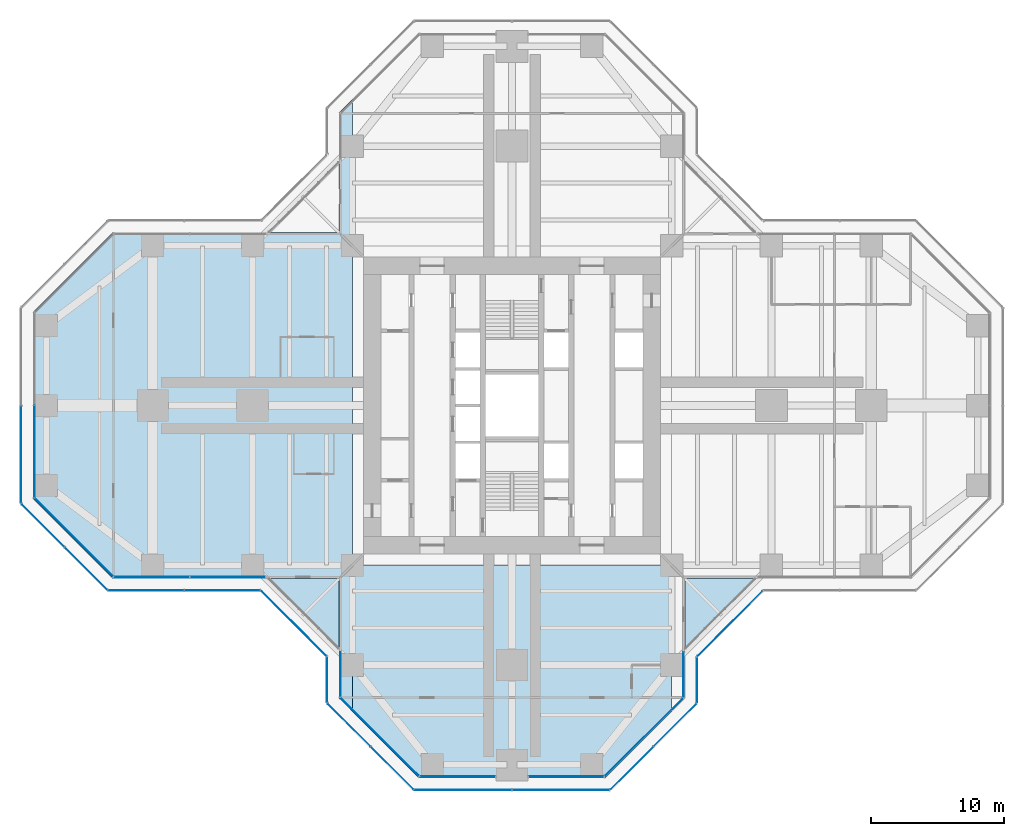
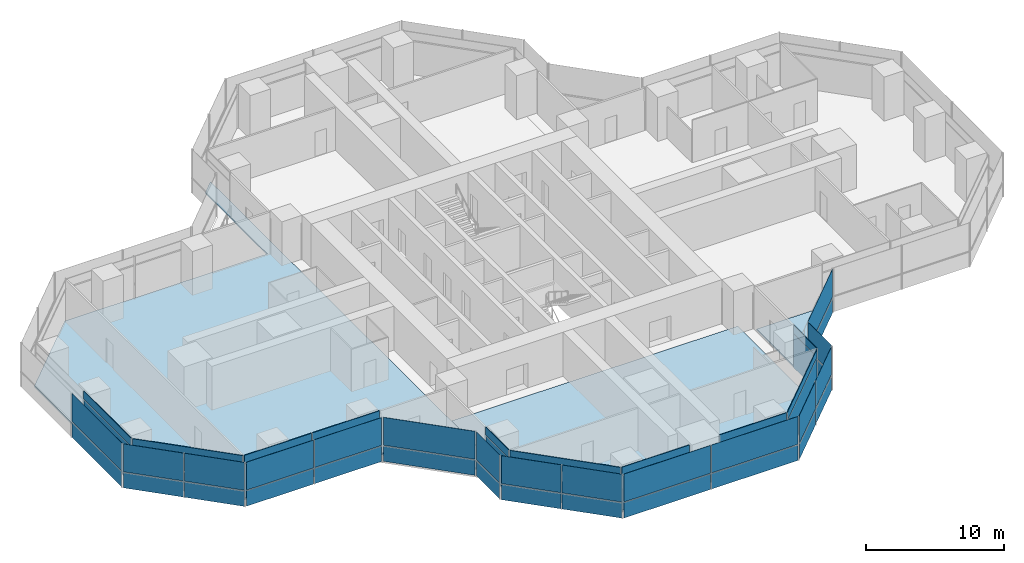
# One storey, part 12 of 19: 50 plates, 4 slabs, 19 elements without a shape of their own.
"""IFC4 building model written with IfcOpenShell, lengths in metres."""

from ifc_helpers import new_model, si_unit, direction, frame, origin, origin_2d, place, context, subcontext, project, spatial, polyline, rectangle, outline, extrude, material, layer, layer_set, type_object, element, aggregate, save


model = new_model("IFC4")

# Units and contexts
model_context = context("Model", 3, precision=1e-05, world=origin(), true_north=direction((0.0, 1.0)))
body_context = subcontext(model_context, "Body", "Model", "MODEL_VIEW")
ifc_project = project(units=[si_unit("LENGTHUNIT", "METRE"), si_unit("AREAUNIT", "SQUARE_METRE"), si_unit("VOLUMEUNIT", "CUBIC_METRE"), si_unit("PLANEANGLEUNIT", "RADIAN"), si_unit("MASSUNIT", "GRAM", prefix="KILO")], contexts=[model_context])

# Site, building, storey
site_placement = place(None, origin())
site = spatial("IfcSite", under=ifc_project, at=site_placement, CompositionType="ELEMENT")
building_placement = place(site_placement, origin())
building = spatial("IfcBuilding", under=site, at=building_placement, Name="Mizan Broadcast Tower", CompositionType="ELEMENT")
storey_placement = place(building_placement, frame((0.0, 0.0, 128.10009765625)))
storey = spatial("IfcBuildingStorey", under=building, at=storey_placement, Name="L28", CompositionType="ELEMENT", Elevation=128.10009765625)

# Slabs
ifc_material_1 = material(Name="Concrete C32/40", Category="concrete")
ifc_layer_1 = layer(ifc_material_1, 0.1298828125)
ifc_layer_set_1 = layer_set([ifc_layer_1], Name="Concrete C32/40")
slab_type_1 = type_object("IfcSlabType", Name="COMPOSITE DECK SLAB 130", PredefinedType="FLOOR", material=ifc_layer_set_1)
slab_1_placement = place(storey_placement, frame((0.0, 0.0, -0.130126953125)))
element("IfcSlab", 1, at=slab_1_placement, inside=storey, type_object=slab_type_1, Name="Floor slab L28 west arm", PredefinedType="FLOOR", context=body_context, shape_type="SweptSolid", body=[
    extrude(outline(polyline([(-13.0, -22.0), (-12.0, -23.0), (-12.0, 23.0), (-13.0, 22.0), (-13.0, 13.0), (-30.0, 13.0), (-36.0, 7.0), (-36.0, -7.0), (-30.0, -13.0), (-13.0, -13.0), (-13.0, -22.0)])), origin(), (0.0, 0.0, 1.0), 0.130126953125),
])
slab_2_placement = place(storey_placement, frame((0.0, 0.0, -0.130126953125)))
element("IfcSlab", 2, at=slab_2_placement, inside=storey, type_object=slab_type_1, Name="Floor slab L28 south arm", PredefinedType="FLOOR", context=body_context, shape_type="SweptSolid", body=[
    extrude(outline(polyline([(7.0, -28.0), (12.0, -23.0), (12.0, -12.0), (-12.0, -12.0), (-12.0, -23.0), (-7.0, -28.0), (7.0, -28.0)])), origin(), (0.0, 0.0, 1.0), 0.130126953125),
])

# Curtain wall, plate
ifc_material_2 = material(Name="Aluminium framed glazing", Category="aluminium")
curtain_wall_type_1 = type_object("IfcCurtainWallType", Name="INNER SKIN MID ZONE", PredefinedType="USERDEFINED", material=ifc_material_2)
curtain_wall_1_placement = place(storey_placement, origin())
curtain_wall_1 = element("IfcCurtainWall", 3, at=curtain_wall_1_placement, inside=storey, type_object=curtain_wall_type_1, Name="Inner skin mid zone L28 W end", ObjectType="INNER SKIN MID ZONE", PredefinedType="USERDEFINED")
ifc_material_3 = material(Name="Double glazing, clear low-e", Category="glass")
ifc_layer_2 = layer(ifc_material_3, 0.028076171875)
ifc_layer_set_2 = layer_set([ifc_layer_2], Name="Double glazing, clear low-e")
plate_type_1 = type_object("IfcPlateType", Name="INNER SKIN GLAZING UNIT", PredefinedType="CURTAIN_PANEL", material=ifc_layer_set_2)
plate_1_placement = place(storey_placement, frame((-35.89990234375, -3.46435546875, 0.0), z_axis=(0.0, 0.0, 1.0), x_axis=(0.0, -1.0, 0.0)))
plate_1 = element("IfcPlate", 4, at=plate_1_placement, type_object=plate_type_1, Name="Inner skin mid zone L28 W end panel 2.1", PredefinedType="CURTAIN_PANEL", context=body_context, shape_type="SweptSolid", body=[
    extrude(rectangle(XDim=6.86865234375, YDim=0.028076171875, at=origin_2d()), origin(), (0.0, 0.0, 1.0), 3.0),
])

curtain_wall_2_placement = place(storey_placement, origin())
curtain_wall_2 = element("IfcCurtainWall", 5, at=curtain_wall_2_placement, inside=storey, type_object=curtain_wall_type_1, Name="Inner skin mid zone L28 W chamfer", ObjectType="INNER SKIN MID ZONE", PredefinedType="USERDEFINED")
plate_2_placement = place(storey_placement, frame((-32.92919921875, -9.92919921875, 0.0), z_axis=(0.0, 0.0, 1.0), x_axis=(0.707106781187, -0.707106781187, 0.0)))
plate_2 = element("IfcPlate", 6, at=plate_2_placement, type_object=plate_type_1, Name="Inner skin mid zone L28 W chamfer panel 1.1", PredefinedType="CURTAIN_PANEL", context=body_context, shape_type="SweptSolid", body=[
    extrude(rectangle(XDim=8.282470703125, YDim=0.028076171875, at=origin_2d()), origin(), (0.0, 0.0, 1.0), 3.0),
])

# Curtain wall, plates
curtain_wall_3_placement = place(storey_placement, origin())
curtain_wall_3 = element("IfcCurtainWall", 7, at=curtain_wall_3_placement, inside=storey, type_object=curtain_wall_type_1, Name="Inner skin mid zone L28 W side", ObjectType="INNER SKIN MID ZONE", PredefinedType="USERDEFINED")
plate_3_placement = place(storey_placement, frame((-27.078857421875, -12.89990234375, 0.0), z_axis=(0.0, 0.0, 1.0), x_axis=(1.0, 0.0, 0.0)))
plate_3 = element("IfcPlate", 8, at=plate_3_placement, type_object=plate_type_1, Name="Inner skin mid zone L28 W side panel 1.1", PredefinedType="CURTAIN_PANEL", context=body_context, shape_type="SweptSolid", body=[
    extrude(rectangle(XDim=5.639404296875, YDim=0.028076171875, at=origin_2d()), origin(), (0.0, 0.0, 1.0), 3.0),
])
plate_4_placement = place(storey_placement, frame((-21.379638671875, -12.89990234375, 0.0), z_axis=(0.0, 0.0, 1.0), x_axis=(1.0, 0.0, 0.0)))
plate_4 = element("IfcPlate", 9, at=plate_4_placement, type_object=plate_type_1, Name="Inner skin mid zone L28 W side panel 2.1", PredefinedType="CURTAIN_PANEL", context=body_context, shape_type="SweptSolid", body=[
    extrude(rectangle(XDim=5.639404296875, YDim=0.028076171875, at=origin_2d()), origin(), (0.0, 0.0, 1.0), 3.0),
])

# Curtain wall, plate
curtain_wall_4_placement = place(storey_placement, origin())
curtain_wall_4 = element("IfcCurtainWall", 10, at=curtain_wall_4_placement, inside=storey, type_object=curtain_wall_type_1, Name="Inner skin mid zone L28 S side", ObjectType="INNER SKIN MID ZONE", PredefinedType="USERDEFINED")
plate_5_placement = place(storey_placement, frame((-12.89990234375, -20.229248046875, 0.0), z_axis=(0.0, 0.0, 1.0), x_axis=(0.0, -1.0, 0.0)))
plate_5 = element("IfcPlate", 11, at=plate_5_placement, type_object=plate_type_1, Name="Inner skin mid zone L28 S side panel 1.1", PredefinedType="CURTAIN_PANEL", context=body_context, shape_type="SweptSolid", body=[
    extrude(rectangle(XDim=3.338623046875, YDim=0.028076171875, at=origin_2d()), origin(), (0.0, 0.0, 1.0), 3.0),
])

curtain_wall_5_placement = place(storey_placement, origin())
curtain_wall_5 = element("IfcCurtainWall", 12, at=curtain_wall_5_placement, inside=storey, type_object=curtain_wall_type_1, Name="Inner skin mid zone L28 S chamfer", ObjectType="INNER SKIN MID ZONE", PredefinedType="USERDEFINED")
plate_6_placement = place(storey_placement, frame((-9.92919921875, -24.92919921875, 0.0), z_axis=(0.0, 0.0, 1.0), x_axis=(0.707106781187, -0.707106781187, 0.0)))
plate_6 = element("IfcPlate", 13, at=plate_6_placement, type_object=plate_type_1, Name="Inner skin mid zone L28 S chamfer panel 1.1", PredefinedType="CURTAIN_PANEL", context=body_context, shape_type="SweptSolid", body=[
    extrude(rectangle(XDim=8.282470703125, YDim=0.028076171875, at=origin_2d()), origin(), (0.0, 0.0, 1.0), 3.0),
])

curtain_wall_6_placement = place(storey_placement, origin())
curtain_wall_6 = element("IfcCurtainWall", 14, at=curtain_wall_6_placement, inside=storey, type_object=curtain_wall_type_1, Name="Inner skin mid zone L28 S end", ObjectType="INNER SKIN MID ZONE", PredefinedType="USERDEFINED")
plate_7_placement = place(storey_placement, frame((-4.079345703125, -27.89990234375, 0.0), z_axis=(0.0, 0.0, 1.0), x_axis=(1.0, 0.0, 0.0)))
plate_7 = element("IfcPlate", 15, at=plate_7_placement, type_object=plate_type_1, Name="Inner skin mid zone L28 S end panel 1.1", PredefinedType="CURTAIN_PANEL", context=body_context, shape_type="SweptSolid", body=[
    extrude(rectangle(XDim=5.638671875, YDim=0.028076171875, at=origin_2d()), origin(), (0.0, 0.0, 1.0), 3.0),
])

curtain_wall_7_placement = place(storey_placement, origin())
curtain_wall_7 = element("IfcCurtainWall", 16, at=curtain_wall_7_placement, inside=storey, type_object=curtain_wall_type_1, Name="Inner skin mid zone L28 S end", ObjectType="INNER SKIN MID ZONE", PredefinedType="USERDEFINED")
plate_8_placement = place(storey_placement, frame((4.079345703125, -27.89990234375, 0.0), z_axis=(0.0, 0.0, 1.0), x_axis=(1.0, 0.0, 0.0)))
plate_8 = element("IfcPlate", 17, at=plate_8_placement, type_object=plate_type_1, Name="Inner skin mid zone L28 S end panel 1.1", PredefinedType="CURTAIN_PANEL", context=body_context, shape_type="SweptSolid", body=[
    extrude(rectangle(XDim=5.638671875, YDim=0.028076171875, at=origin_2d()), origin(), (0.0, 0.0, 1.0), 3.0),
])

curtain_wall_8_placement = place(storey_placement, origin())
curtain_wall_8 = element("IfcCurtainWall", 18, at=curtain_wall_8_placement, inside=storey, type_object=curtain_wall_type_1, Name="Inner skin mid zone L28 S chamfer", ObjectType="INNER SKIN MID ZONE", PredefinedType="USERDEFINED")
plate_9_placement = place(storey_placement, frame((9.92919921875, -24.92919921875, 0.0), z_axis=(0.0, 0.0, 1.0), x_axis=(0.707106781187, 0.707106781187, 0.0)))
plate_9 = element("IfcPlate", 19, at=plate_9_placement, type_object=plate_type_1, Name="Inner skin mid zone L28 S chamfer panel 1.1", PredefinedType="CURTAIN_PANEL", context=body_context, shape_type="SweptSolid", body=[
    extrude(rectangle(XDim=8.282470703125, YDim=0.028076171875, at=origin_2d()), origin(), (0.0, 0.0, 1.0), 3.0),
])

curtain_wall_9_placement = place(storey_placement, origin())
curtain_wall_9 = element("IfcCurtainWall", 20, at=curtain_wall_9_placement, inside=storey, type_object=curtain_wall_type_1, Name="Inner skin mid zone L28 S side", ObjectType="INNER SKIN MID ZONE", PredefinedType="USERDEFINED")
plate_10_placement = place(storey_placement, frame((12.89990234375, -20.229248046875, 0.0), z_axis=(0.0, 0.0, 1.0), x_axis=(0.0, 1.0, 0.0)))
plate_10 = element("IfcPlate", 21, at=plate_10_placement, type_object=plate_type_1, Name="Inner skin mid zone L28 S side panel 1.1", PredefinedType="CURTAIN_PANEL", context=body_context, shape_type="SweptSolid", body=[
    extrude(rectangle(XDim=3.338623046875, YDim=0.028076171875, at=origin_2d()), origin(), (0.0, 0.0, 1.0), 3.0),
])

# Plate
ifc_material_4 = material(Name="Insulated aluminium spandrel panel, pale anodised", Category="aluminium")
ifc_layer_3 = layer(ifc_material_4, 0.050048828125)
ifc_layer_set_3 = layer_set([ifc_layer_3], Name="Insulated aluminium spandrel panel, pale anodised")
plate_type_2 = type_object("IfcPlateType", Name="INNER SKIN SPANDREL PANEL", PredefinedType="CURTAIN_PANEL", material=ifc_layer_set_3)
plate_11_placement = place(storey_placement, frame((-35.89990234375, -3.46435546875, 3.059814453125), z_axis=(0.0, 0.0, 1.0), x_axis=(0.0, -1.0, 0.0)))
plate_11 = element("IfcPlate", 22, at=plate_11_placement, type_object=plate_type_2, Name="Inner skin mid zone L28 W end panel 2.2", PredefinedType="CURTAIN_PANEL", context=body_context, shape_type="SweptSolid", body=[
    extrude(rectangle(XDim=6.86865234375, YDim=0.050048828125, at=origin_2d()), origin(), (0.0, 0.0, 1.0), 0.7099609375),
])

aggregate(curtain_wall_1, [plate_1, plate_11])

plate_12_placement = place(storey_placement, frame((-32.92919921875, -9.92919921875, 3.059814453125), z_axis=(0.0, 0.0, 1.0), x_axis=(0.707106781187, -0.707106781187, 0.0)))
plate_12 = element("IfcPlate", 23, at=plate_12_placement, type_object=plate_type_2, Name="Inner skin mid zone L28 W chamfer panel 1.2", PredefinedType="CURTAIN_PANEL", context=body_context, shape_type="SweptSolid", body=[
    extrude(rectangle(XDim=8.282470703125, YDim=0.050048828125, at=origin_2d()), origin(), (0.0, 0.0, 1.0), 0.7099609375),
])

aggregate(curtain_wall_2, [plate_2, plate_12])

plate_13_placement = place(storey_placement, frame((-27.078857421875, -12.89990234375, 3.059814453125), z_axis=(0.0, 0.0, 1.0), x_axis=(1.0, 0.0, 0.0)))
plate_13 = element("IfcPlate", 24, at=plate_13_placement, type_object=plate_type_2, Name="Inner skin mid zone L28 W side panel 1.2", PredefinedType="CURTAIN_PANEL", context=body_context, shape_type="SweptSolid", body=[
    extrude(rectangle(XDim=5.639404296875, YDim=0.050048828125, at=origin_2d()), origin(), (0.0, 0.0, 1.0), 0.7099609375),
])

plate_14_placement = place(storey_placement, frame((-21.379638671875, -12.89990234375, 3.059814453125), z_axis=(0.0, 0.0, 1.0), x_axis=(1.0, 0.0, 0.0)))
plate_14 = element("IfcPlate", 25, at=plate_14_placement, type_object=plate_type_2, Name="Inner skin mid zone L28 W side panel 2.2", PredefinedType="CURTAIN_PANEL", context=body_context, shape_type="SweptSolid", body=[
    extrude(rectangle(XDim=5.639404296875, YDim=0.050048828125, at=origin_2d()), origin(), (0.0, 0.0, 1.0), 0.7099609375),
])

aggregate(curtain_wall_3, [plate_3, plate_13, plate_4, plate_14])

plate_15_placement = place(storey_placement, frame((-12.89990234375, -20.229248046875, 3.059814453125), z_axis=(0.0, 0.0, 1.0), x_axis=(0.0, -1.0, 0.0)))
plate_15 = element("IfcPlate", 26, at=plate_15_placement, type_object=plate_type_2, Name="Inner skin mid zone L28 S side panel 1.2", PredefinedType="CURTAIN_PANEL", context=body_context, shape_type="SweptSolid", body=[
    extrude(rectangle(XDim=3.338623046875, YDim=0.050048828125, at=origin_2d()), origin(), (0.0, 0.0, 1.0), 0.7099609375),
])

aggregate(curtain_wall_4, [plate_5, plate_15])

plate_16_placement = place(storey_placement, frame((-9.92919921875, -24.92919921875, 3.059814453125), z_axis=(0.0, 0.0, 1.0), x_axis=(0.707106781187, -0.707106781187, 0.0)))
plate_16 = element("IfcPlate", 27, at=plate_16_placement, type_object=plate_type_2, Name="Inner skin mid zone L28 S chamfer panel 1.2", PredefinedType="CURTAIN_PANEL", context=body_context, shape_type="SweptSolid", body=[
    extrude(rectangle(XDim=8.282470703125, YDim=0.050048828125, at=origin_2d()), origin(), (0.0, 0.0, 1.0), 0.7099609375),
])

aggregate(curtain_wall_5, [plate_6, plate_16])

plate_17_placement = place(storey_placement, frame((-4.079345703125, -27.89990234375, 3.059814453125), z_axis=(0.0, 0.0, 1.0), x_axis=(1.0, 0.0, 0.0)))
plate_17 = element("IfcPlate", 28, at=plate_17_placement, type_object=plate_type_2, Name="Inner skin mid zone L28 S end panel 1.2", PredefinedType="CURTAIN_PANEL", context=body_context, shape_type="SweptSolid", body=[
    extrude(rectangle(XDim=5.638671875, YDim=0.050048828125, at=origin_2d()), origin(), (0.0, 0.0, 1.0), 0.7099609375),
])

aggregate(curtain_wall_6, [plate_7, plate_17])

plate_18_placement = place(storey_placement, frame((4.079345703125, -27.89990234375, 3.059814453125), z_axis=(0.0, 0.0, 1.0), x_axis=(1.0, 0.0, 0.0)))
plate_18 = element("IfcPlate", 29, at=plate_18_placement, type_object=plate_type_2, Name="Inner skin mid zone L28 S end panel 1.2", PredefinedType="CURTAIN_PANEL", context=body_context, shape_type="SweptSolid", body=[
    extrude(rectangle(XDim=5.638671875, YDim=0.050048828125, at=origin_2d()), origin(), (0.0, 0.0, 1.0), 0.7099609375),
])

aggregate(curtain_wall_7, [plate_8, plate_18])

plate_19_placement = place(storey_placement, frame((9.92919921875, -24.92919921875, 3.059814453125), z_axis=(0.0, 0.0, 1.0), x_axis=(0.707106781187, 0.707106781187, 0.0)))
plate_19 = element("IfcPlate", 30, at=plate_19_placement, type_object=plate_type_2, Name="Inner skin mid zone L28 S chamfer panel 1.2", PredefinedType="CURTAIN_PANEL", context=body_context, shape_type="SweptSolid", body=[
    extrude(rectangle(XDim=8.282470703125, YDim=0.050048828125, at=origin_2d()), origin(), (0.0, 0.0, 1.0), 0.7099609375),
])

aggregate(curtain_wall_8, [plate_9, plate_19])

plate_20_placement = place(storey_placement, frame((12.89990234375, -20.229248046875, 3.059814453125), z_axis=(0.0, 0.0, 1.0), x_axis=(0.0, 1.0, 0.0)))
plate_20 = element("IfcPlate", 31, at=plate_20_placement, type_object=plate_type_2, Name="Inner skin mid zone L28 S side panel 1.2", PredefinedType="CURTAIN_PANEL", context=body_context, shape_type="SweptSolid", body=[
    extrude(rectangle(XDim=3.338623046875, YDim=0.050048828125, at=origin_2d()), origin(), (0.0, 0.0, 1.0), 0.7099609375),
])

aggregate(curtain_wall_9, [plate_10, plate_20])

# Curtain wall, plates
ifc_material_5 = material(Name="Aluminium framed glazing", Category="aluminium")
curtain_wall_type_2 = type_object("IfcCurtainWallType", Name="OUTER SKIN", PredefinedType="USERDEFINED", material=ifc_material_5)
curtain_wall_10_placement = place(storey_placement, origin())
curtain_wall_10 = element("IfcCurtainWall", 32, at=curtain_wall_10_placement, inside=storey, type_object=curtain_wall_type_2, Name="Outer skin L28 W chamfer", ObjectType="OUTER SKIN", PredefinedType="USERDEFINED")
ifc_material_6 = material(Name="Laminated clear glass", Category="glass")
ifc_layer_4 = layer(ifc_material_6, 0.02001953125)
ifc_layer_set_4 = layer_set([ifc_layer_4], Name="Laminated clear glass")
plate_type_3 = type_object("IfcPlateType", Name="OUTER SKIN CLEAR GLASS", PredefinedType="CURTAIN_PANEL", material=ifc_layer_set_4)
plate_21_placement = place(storey_placement, frame((-35.254150390625, -9.018798828125, -0.000244140625), z_axis=(0.0, 0.0, 1.0), x_axis=(0.707106781187, -0.707106781187, 0.0)))
plate_21 = element("IfcPlate", 33, at=plate_21_placement, type_object=plate_type_3, Name="Outer skin L28 W chamfer panel 1.1", PredefinedType="CURTAIN_PANEL", context=body_context, shape_type="SweptSolid", body=[
    extrude(rectangle(XDim=4.495361328125, YDim=0.02001953125, at=origin_2d()), origin(), (0.0, 0.0, 1.0), 1.3701171875),
])
plate_22_placement = place(storey_placement, frame((-35.254150390625, -9.018798828125, 1.4296875), z_axis=(0.0, 0.0, 1.0), x_axis=(0.707106781187, -0.707106781187, 0.0)))
plate_22 = element("IfcPlate", 34, at=plate_22_placement, type_object=plate_type_3, Name="Outer skin L28 W chamfer panel 1.2", PredefinedType="CURTAIN_PANEL", context=body_context, shape_type="SweptSolid", body=[
    extrude(rectangle(XDim=4.495361328125, YDim=0.02001953125, at=origin_2d()), origin(), (0.0, 0.0, 1.0), 2.469970703125),
])

curtain_wall_11_placement = place(storey_placement, origin())
curtain_wall_11 = element("IfcCurtainWall", 35, at=curtain_wall_11_placement, inside=storey, type_object=curtain_wall_type_2, Name="Outer skin L28 W side", ObjectType="OUTER SKIN", PredefinedType="USERDEFINED")
plate_23_placement = place(storey_placement, frame((-27.477783203125, -13.89990234375, -0.000244140625), z_axis=(0.0, 0.0, 1.0), x_axis=(1.0, 0.0, 0.0)))
plate_23 = element("IfcPlate", 36, at=plate_23_placement, type_object=plate_type_3, Name="Outer skin L28 W side panel 1.1", PredefinedType="CURTAIN_PANEL", context=body_context, shape_type="SweptSolid", body=[
    extrude(rectangle(XDim=5.6298828125, YDim=0.02001953125, at=origin_2d()), origin(), (0.0, 0.0, 1.0), 1.3701171875),
])
plate_24_placement = place(storey_placement, frame((-27.477783203125, -13.89990234375, 1.4296875), z_axis=(0.0, 0.0, 1.0), x_axis=(1.0, 0.0, 0.0)))
plate_24 = element("IfcPlate", 37, at=plate_24_placement, type_object=plate_type_3, Name="Outer skin L28 W side panel 1.2", PredefinedType="CURTAIN_PANEL", context=body_context, shape_type="SweptSolid", body=[
    extrude(rectangle(XDim=5.6298828125, YDim=0.02001953125, at=origin_2d()), origin(), (0.0, 0.0, 1.0), 2.469970703125),
])

curtain_wall_12_placement = place(storey_placement, origin())
curtain_wall_12 = element("IfcCurtainWall", 38, at=curtain_wall_12_placement, inside=storey, type_object=curtain_wall_type_2, Name="Outer skin L28 W chamfer", ObjectType="OUTER SKIN", PredefinedType="USERDEFINED")
plate_25_placement = place(storey_placement, frame((-16.386474609375, -16.386474609375, -0.000244140625), z_axis=(0.0, 0.0, 1.0), x_axis=(0.707106781187, -0.707106781187, 0.0)))
plate_25 = element("IfcPlate", 39, at=plate_25_placement, type_object=plate_type_3, Name="Outer skin L28 W chamfer panel 1.1", PredefinedType="CURTAIN_PANEL", context=body_context, shape_type="SweptSolid", body=[
    extrude(rectangle(XDim=6.87255859375, YDim=0.02001953125, at=origin_2d()), origin(), (0.0, 0.0, 1.0), 1.3701171875),
])
plate_26_placement = place(storey_placement, frame((-16.386474609375, -16.386474609375, 1.4296875), z_axis=(0.0, 0.0, 1.0), x_axis=(0.707106781187, -0.707106781187, 0.0)))
plate_26 = element("IfcPlate", 40, at=plate_26_placement, type_object=plate_type_3, Name="Outer skin L28 W chamfer panel 1.2", PredefinedType="CURTAIN_PANEL", context=body_context, shape_type="SweptSolid", body=[
    extrude(rectangle(XDim=6.87255859375, YDim=0.02001953125, at=origin_2d()), origin(), (0.0, 0.0, 1.0), 2.469970703125),
])
aggregate(curtain_wall_12, [plate_25, plate_26])

curtain_wall_13_placement = place(storey_placement, origin())
curtain_wall_13 = element("IfcCurtainWall", 41, at=curtain_wall_13_placement, inside=storey, type_object=curtain_wall_type_2, Name="Outer skin L28 S side", ObjectType="OUTER SKIN", PredefinedType="USERDEFINED")
plate_27_placement = place(storey_placement, frame((-13.89990234375, -20.622802734375, -0.000244140625), z_axis=(0.0, 0.0, 1.0), x_axis=(0.0, -1.0, 0.0)))
plate_27 = element("IfcPlate", 42, at=plate_27_placement, type_object=plate_type_3, Name="Outer skin L28 S side panel 1.1", PredefinedType="CURTAIN_PANEL", context=body_context, shape_type="SweptSolid", body=[
    extrude(rectangle(XDim=3.340087890625, YDim=0.02001953125, at=origin_2d()), origin(), (0.0, 0.0, 1.0), 1.3701171875),
])
plate_28_placement = place(storey_placement, frame((-13.89990234375, -20.622802734375, 1.4296875), z_axis=(0.0, 0.0, 1.0), x_axis=(0.0, -1.0, 0.0)))
plate_28 = element("IfcPlate", 43, at=plate_28_placement, type_object=plate_type_3, Name="Outer skin L28 S side panel 1.2", PredefinedType="CURTAIN_PANEL", context=body_context, shape_type="SweptSolid", body=[
    extrude(rectangle(XDim=3.340087890625, YDim=0.02001953125, at=origin_2d()), origin(), (0.0, 0.0, 1.0), 2.469970703125),
])
aggregate(curtain_wall_13, [plate_27, plate_28])

curtain_wall_14_placement = place(storey_placement, origin())
curtain_wall_14 = element("IfcCurtainWall", 44, at=curtain_wall_14_placement, inside=storey, type_object=curtain_wall_type_2, Name="Outer skin L28 S chamfer", ObjectType="OUTER SKIN", PredefinedType="USERDEFINED")
plate_29_placement = place(storey_placement, frame((-12.254150390625, -24.018798828125, -0.000244140625), z_axis=(0.0, 0.0, 1.0), x_axis=(0.707106781187, -0.707106781187, 0.0)))
plate_29 = element("IfcPlate", 45, at=plate_29_placement, type_object=plate_type_3, Name="Outer skin L28 S chamfer panel 1.1", PredefinedType="CURTAIN_PANEL", context=body_context, shape_type="SweptSolid", body=[
    extrude(rectangle(XDim=4.495361328125, YDim=0.02001953125, at=origin_2d()), origin(), (0.0, 0.0, 1.0), 1.3701171875),
])
plate_30_placement = place(storey_placement, frame((-12.254150390625, -24.018798828125, 1.4296875), z_axis=(0.0, 0.0, 1.0), x_axis=(0.707106781187, -0.707106781187, 0.0)))
plate_30 = element("IfcPlate", 46, at=plate_30_placement, type_object=plate_type_3, Name="Outer skin L28 S chamfer panel 1.2", PredefinedType="CURTAIN_PANEL", context=body_context, shape_type="SweptSolid", body=[
    extrude(rectangle(XDim=4.495361328125, YDim=0.02001953125, at=origin_2d()), origin(), (0.0, 0.0, 1.0), 2.469970703125),
])

curtain_wall_15_placement = place(storey_placement, origin())
curtain_wall_15 = element("IfcCurtainWall", 47, at=curtain_wall_15_placement, inside=storey, type_object=curtain_wall_type_2, Name="Outer skin L28 S end", ObjectType="OUTER SKIN", PredefinedType="USERDEFINED")
plate_31_placement = place(storey_placement, frame((-3.66650390625, -28.89990234375, -0.000244140625), z_axis=(0.0, 0.0, 1.0), x_axis=(1.0, 0.0, 0.0)))
plate_31 = element("IfcPlate", 48, at=plate_31_placement, type_object=plate_type_3, Name="Outer skin L28 S end panel 1.1", PredefinedType="CURTAIN_PANEL", context=body_context, shape_type="SweptSolid", body=[
    extrude(rectangle(XDim=7.252685546875, YDim=0.02001953125, at=origin_2d()), origin(), (0.0, 0.0, 1.0), 1.3701171875),
])
plate_32_placement = place(storey_placement, frame((-3.66650390625, -28.89990234375, 1.4296875), z_axis=(0.0, 0.0, 1.0), x_axis=(1.0, 0.0, 0.0)))
plate_32 = element("IfcPlate", 49, at=plate_32_placement, type_object=plate_type_3, Name="Outer skin L28 S end panel 1.2", PredefinedType="CURTAIN_PANEL", context=body_context, shape_type="SweptSolid", body=[
    extrude(rectangle(XDim=7.252685546875, YDim=0.02001953125, at=origin_2d()), origin(), (0.0, 0.0, 1.0), 2.469970703125),
])

curtain_wall_16_placement = place(storey_placement, origin())
curtain_wall_16 = element("IfcCurtainWall", 50, at=curtain_wall_16_placement, inside=storey, type_object=curtain_wall_type_2, Name="Outer skin L28 S chamfer", ObjectType="OUTER SKIN", PredefinedType="USERDEFINED")
plate_33_placement = place(storey_placement, frame((9.018798828125, -27.254150390625, -0.000244140625), z_axis=(0.0, 0.0, 1.0), x_axis=(0.707106781187, 0.707106781187, 0.0)))
plate_33 = element("IfcPlate", 51, at=plate_33_placement, type_object=plate_type_3, Name="Outer skin L28 S chamfer panel 1.1", PredefinedType="CURTAIN_PANEL", context=body_context, shape_type="SweptSolid", body=[
    extrude(rectangle(XDim=4.495361328125, YDim=0.02001953125, at=origin_2d()), origin(), (0.0, 0.0, 1.0), 1.3701171875),
])
plate_34_placement = place(storey_placement, frame((9.018798828125, -27.254150390625, 1.4296875), z_axis=(0.0, 0.0, 1.0), x_axis=(0.707106781187, 0.707106781187, 0.0)))
plate_34 = element("IfcPlate", 52, at=plate_34_placement, type_object=plate_type_3, Name="Outer skin L28 S chamfer panel 1.2", PredefinedType="CURTAIN_PANEL", context=body_context, shape_type="SweptSolid", body=[
    extrude(rectangle(XDim=4.495361328125, YDim=0.02001953125, at=origin_2d()), origin(), (0.0, 0.0, 1.0), 2.469970703125),
])

curtain_wall_17_placement = place(storey_placement, origin())
curtain_wall_17 = element("IfcCurtainWall", 53, at=curtain_wall_17_placement, inside=storey, type_object=curtain_wall_type_2, Name="Outer skin L28 S side", ObjectType="OUTER SKIN", PredefinedType="USERDEFINED")
plate_35_placement = place(storey_placement, frame((13.89990234375, -20.622802734375, -0.000244140625), z_axis=(0.0, 0.0, 1.0), x_axis=(0.0, 1.0, 0.0)))
plate_35 = element("IfcPlate", 54, at=plate_35_placement, type_object=plate_type_3, Name="Outer skin L28 S side panel 1.1", PredefinedType="CURTAIN_PANEL", context=body_context, shape_type="SweptSolid", body=[
    extrude(rectangle(XDim=3.340087890625, YDim=0.02001953125, at=origin_2d()), origin(), (0.0, 0.0, 1.0), 1.3701171875),
])
plate_36_placement = place(storey_placement, frame((13.89990234375, -20.622802734375, 1.4296875), z_axis=(0.0, 0.0, 1.0), x_axis=(0.0, 1.0, 0.0)))
plate_36 = element("IfcPlate", 55, at=plate_36_placement, type_object=plate_type_3, Name="Outer skin L28 S side panel 1.2", PredefinedType="CURTAIN_PANEL", context=body_context, shape_type="SweptSolid", body=[
    extrude(rectangle(XDim=3.340087890625, YDim=0.02001953125, at=origin_2d()), origin(), (0.0, 0.0, 1.0), 2.469970703125),
])
aggregate(curtain_wall_17, [plate_35, plate_36])

curtain_wall_18_placement = place(storey_placement, origin())
curtain_wall_18 = element("IfcCurtainWall", 56, at=curtain_wall_18_placement, inside=storey, type_object=curtain_wall_type_2, Name="Outer skin L28 E chamfer", ObjectType="OUTER SKIN", PredefinedType="USERDEFINED")
plate_37_placement = place(storey_placement, frame((16.386474609375, -16.386474609375, -0.000244140625), z_axis=(0.0, 0.0, 1.0), x_axis=(0.707106781187, 0.707106781187, 0.0)))
plate_37 = element("IfcPlate", 57, at=plate_37_placement, type_object=plate_type_3, Name="Outer skin L28 E chamfer panel 1.1", PredefinedType="CURTAIN_PANEL", context=body_context, shape_type="SweptSolid", body=[
    extrude(rectangle(XDim=6.87255859375, YDim=0.02001953125, at=origin_2d()), origin(), (0.0, 0.0, 1.0), 1.3701171875),
])
plate_38_placement = place(storey_placement, frame((16.386474609375, -16.386474609375, 1.4296875), z_axis=(0.0, 0.0, 1.0), x_axis=(0.707106781187, 0.707106781187, 0.0)))
plate_38 = element("IfcPlate", 58, at=plate_38_placement, type_object=plate_type_3, Name="Outer skin L28 E chamfer panel 1.2", PredefinedType="CURTAIN_PANEL", context=body_context, shape_type="SweptSolid", body=[
    extrude(rectangle(XDim=6.87255859375, YDim=0.02001953125, at=origin_2d()), origin(), (0.0, 0.0, 1.0), 2.469970703125),
])
aggregate(curtain_wall_18, [plate_37, plate_38])

curtain_wall_19_placement = place(storey_placement, origin())
curtain_wall_19 = element("IfcCurtainWall", 59, at=curtain_wall_19_placement, inside=storey, type_object=curtain_wall_type_2, Name="Outer skin L28 W end", ObjectType="OUTER SKIN", PredefinedType="USERDEFINED")
ifc_material_7 = material(Name="Perforated aluminium, pale anodised", Category="aluminium")
ifc_layer_5 = layer(ifc_material_7, 0.011962890625)
ifc_layer_set_5 = layer_set([ifc_layer_5], Name="Perforated aluminium, pale anodised")
plate_type_4 = type_object("IfcPlateType", Name="OUTER SKIN PERFORATED SCREEN", PredefinedType="USERDEFINED", material=ifc_layer_set_5)
plate_39_placement = place(storey_placement, frame((-36.89990234375, -3.66650390625, -0.000244140625), z_axis=(0.0, 0.0, 1.0), x_axis=(0.0, -1.0, 0.0)))
plate_39 = element("IfcPlate", 60, at=plate_39_placement, type_object=plate_type_4, Name="Outer skin L28 W end panel 2.1", ObjectType="SCREEN", PredefinedType="USERDEFINED", context=body_context, shape_type="SweptSolid", body=[
    extrude(rectangle(XDim=7.252685546875, YDim=0.011962890625, at=origin_2d()), origin(), (0.0, 0.0, 1.0), 1.3701171875),
])
plate_40_placement = place(storey_placement, frame((-36.89990234375, -3.66650390625, 1.4296875), z_axis=(0.0, 0.0, 1.0), x_axis=(0.0, -1.0, 0.0)))
plate_40 = element("IfcPlate", 61, at=plate_40_placement, type_object=plate_type_4, Name="Outer skin L28 W end panel 2.2", ObjectType="SCREEN", PredefinedType="USERDEFINED", context=body_context, shape_type="SweptSolid", body=[
    extrude(rectangle(XDim=7.252685546875, YDim=0.011962890625, at=origin_2d()), origin(), (0.0, 0.0, 1.0), 2.469970703125),
])
aggregate(curtain_wall_19, [plate_39, plate_40])

# Plate
plate_41_placement = place(storey_placement, frame((-32.018798828125, -12.254150390625, -0.000244140625), z_axis=(0.0, 0.0, 1.0), x_axis=(0.707106781187, -0.707106781187, 0.0)))
plate_41 = element("IfcPlate", 62, at=plate_41_placement, type_object=plate_type_4, Name="Outer skin L28 W chamfer panel 2.1", ObjectType="SCREEN", PredefinedType="USERDEFINED", context=body_context, shape_type="SweptSolid", body=[
    extrude(rectangle(XDim=4.495361328125, YDim=0.011962890625, at=origin_2d()), origin(), (0.0, 0.0, 1.0), 1.3701171875),
])

plate_42_placement = place(storey_placement, frame((-32.018798828125, -12.254150390625, 1.4296875), z_axis=(0.0, 0.0, 1.0), x_axis=(0.707106781187, -0.707106781187, 0.0)))
plate_42 = element("IfcPlate", 63, at=plate_42_placement, type_object=plate_type_4, Name="Outer skin L28 W chamfer panel 2.2", ObjectType="SCREEN", PredefinedType="USERDEFINED", context=body_context, shape_type="SweptSolid", body=[
    extrude(rectangle(XDim=4.495361328125, YDim=0.011962890625, at=origin_2d()), origin(), (0.0, 0.0, 1.0), 2.469970703125),
])

aggregate(curtain_wall_10, [plate_21, plate_22, plate_41, plate_42])

plate_43_placement = place(storey_placement, frame((-21.767822265625, -13.89990234375, -0.000244140625), z_axis=(0.0, 0.0, 1.0), x_axis=(1.0, 0.0, 0.0)))
plate_43 = element("IfcPlate", 64, at=plate_43_placement, type_object=plate_type_4, Name="Outer skin L28 W side panel 2.1", ObjectType="SCREEN", PredefinedType="USERDEFINED", context=body_context, shape_type="SweptSolid", body=[
    extrude(rectangle(XDim=5.6298828125, YDim=0.011962890625, at=origin_2d()), origin(), (0.0, 0.0, 1.0), 1.3701171875),
])

plate_44_placement = place(storey_placement, frame((-21.767822265625, -13.89990234375, 1.4296875), z_axis=(0.0, 0.0, 1.0), x_axis=(1.0, 0.0, 0.0)))
plate_44 = element("IfcPlate", 65, at=plate_44_placement, type_object=plate_type_4, Name="Outer skin L28 W side panel 2.2", ObjectType="SCREEN", PredefinedType="USERDEFINED", context=body_context, shape_type="SweptSolid", body=[
    extrude(rectangle(XDim=5.6298828125, YDim=0.011962890625, at=origin_2d()), origin(), (0.0, 0.0, 1.0), 2.469970703125),
])

aggregate(curtain_wall_11, [plate_23, plate_24, plate_43, plate_44])

plate_45_placement = place(storey_placement, frame((-9.018798828125, -27.254150390625, -0.000244140625), z_axis=(0.0, 0.0, 1.0), x_axis=(0.707106781187, -0.707106781187, 0.0)))
plate_45 = element("IfcPlate", 66, at=plate_45_placement, type_object=plate_type_4, Name="Outer skin L28 S chamfer panel 2.1", ObjectType="SCREEN", PredefinedType="USERDEFINED", context=body_context, shape_type="SweptSolid", body=[
    extrude(rectangle(XDim=4.495361328125, YDim=0.011962890625, at=origin_2d()), origin(), (0.0, 0.0, 1.0), 1.3701171875),
])

plate_46_placement = place(storey_placement, frame((-9.018798828125, -27.254150390625, 1.4296875), z_axis=(0.0, 0.0, 1.0), x_axis=(0.707106781187, -0.707106781187, 0.0)))
plate_46 = element("IfcPlate", 67, at=plate_46_placement, type_object=plate_type_4, Name="Outer skin L28 S chamfer panel 2.2", ObjectType="SCREEN", PredefinedType="USERDEFINED", context=body_context, shape_type="SweptSolid", body=[
    extrude(rectangle(XDim=4.495361328125, YDim=0.011962890625, at=origin_2d()), origin(), (0.0, 0.0, 1.0), 2.469970703125),
])

aggregate(curtain_wall_14, [plate_29, plate_30, plate_45, plate_46])

plate_47_placement = place(storey_placement, frame((3.66650390625, -28.89990234375, -0.000244140625), z_axis=(0.0, 0.0, 1.0), x_axis=(1.0, 0.0, 0.0)))
plate_47 = element("IfcPlate", 68, at=plate_47_placement, type_object=plate_type_4, Name="Outer skin L28 S end panel 2.1", ObjectType="SCREEN", PredefinedType="USERDEFINED", context=body_context, shape_type="SweptSolid", body=[
    extrude(rectangle(XDim=7.252685546875, YDim=0.011962890625, at=origin_2d()), origin(), (0.0, 0.0, 1.0), 1.3701171875),
])

plate_48_placement = place(storey_placement, frame((3.66650390625, -28.89990234375, 1.4296875), z_axis=(0.0, 0.0, 1.0), x_axis=(1.0, 0.0, 0.0)))
plate_48 = element("IfcPlate", 69, at=plate_48_placement, type_object=plate_type_4, Name="Outer skin L28 S end panel 2.2", ObjectType="SCREEN", PredefinedType="USERDEFINED", context=body_context, shape_type="SweptSolid", body=[
    extrude(rectangle(XDim=7.252685546875, YDim=0.011962890625, at=origin_2d()), origin(), (0.0, 0.0, 1.0), 2.469970703125),
])

aggregate(curtain_wall_15, [plate_31, plate_32, plate_47, plate_48])

plate_49_placement = place(storey_placement, frame((12.254150390625, -24.018798828125, -0.000244140625), z_axis=(0.0, 0.0, 1.0), x_axis=(0.707106781187, 0.707106781187, 0.0)))
plate_49 = element("IfcPlate", 70, at=plate_49_placement, type_object=plate_type_4, Name="Outer skin L28 S chamfer panel 2.1", ObjectType="SCREEN", PredefinedType="USERDEFINED", context=body_context, shape_type="SweptSolid", body=[
    extrude(rectangle(XDim=4.495361328125, YDim=0.011962890625, at=origin_2d()), origin(), (0.0, 0.0, 1.0), 1.3701171875),
])

plate_50_placement = place(storey_placement, frame((12.254150390625, -24.018798828125, 1.4296875), z_axis=(0.0, 0.0, 1.0), x_axis=(0.707106781187, 0.707106781187, 0.0)))
plate_50 = element("IfcPlate", 71, at=plate_50_placement, type_object=plate_type_4, Name="Outer skin L28 S chamfer panel 2.2", ObjectType="SCREEN", PredefinedType="USERDEFINED", context=body_context, shape_type="SweptSolid", body=[
    extrude(rectangle(XDim=4.495361328125, YDim=0.011962890625, at=origin_2d()), origin(), (0.0, 0.0, 1.0), 2.469970703125),
])

aggregate(curtain_wall_16, [plate_33, plate_34, plate_49, plate_50])

# Slabs
ifc_material_8 = material(Name="Concrete C32/40", Category="concrete")
ifc_layer_6 = layer(ifc_material_8, 0.1298828125)
ifc_layer_set_6 = layer_set([ifc_layer_6], Name="Concrete C32/40")
slab_type_2 = type_object("IfcSlabType", Name="WINTER GARDEN SLAB 130", PredefinedType="FLOOR", material=ifc_layer_set_6)
slab_3_placement = place(storey_placement, frame((0.0, 0.0, -0.130126953125)))
element("IfcSlab", 72, at=slab_3_placement, inside=storey, type_object=slab_type_2, Name="Winter garden slab L28 W", PredefinedType="FLOOR", context=body_context, shape_type="SweptSolid", body=[
    extrude(outline(polyline([(-13.0, -13.0), (-18.5, -13.0), (-13.0, -18.5), (-13.0, -13.0)])), origin(), (0.0, 0.0, 1.0), 0.130126953125),
])
slab_4_placement = place(storey_placement, frame((0.0, 0.0, -0.130126953125)))
element("IfcSlab", 73, at=slab_4_placement, inside=storey, type_object=slab_type_2, Name="Winter garden slab L28 S", PredefinedType="FLOOR", context=body_context, shape_type="SweptSolid", body=[
    extrude(outline(polyline([(13.0, -13.0), (13.0, -18.5), (18.5, -13.0), (13.0, -13.0)])), origin(), (0.0, 0.0, 1.0), 0.130126953125),
])

save(model, "model.ifc")
